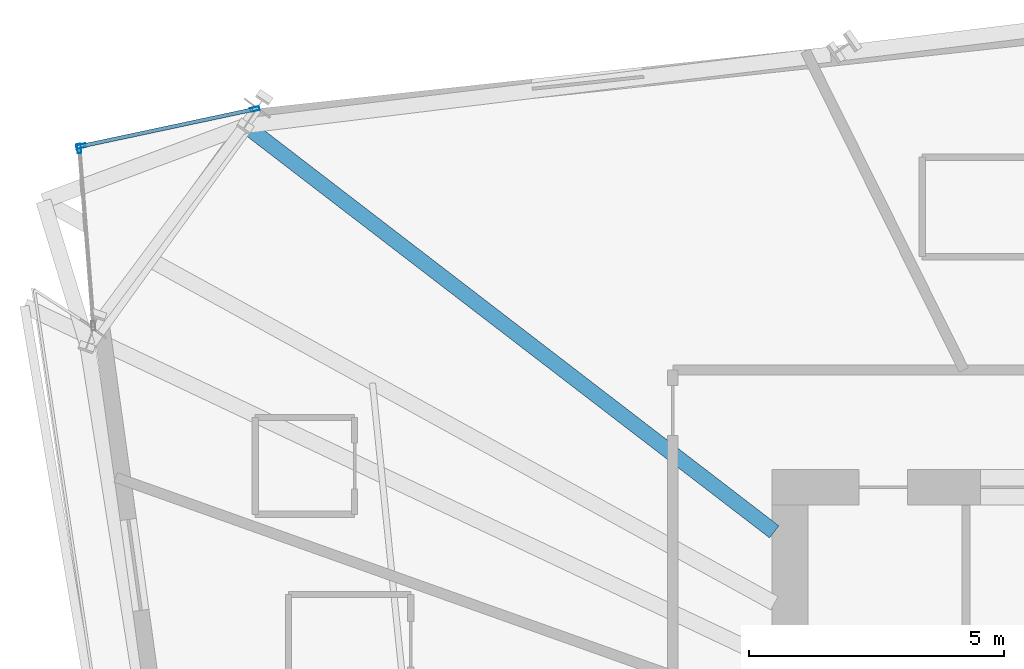
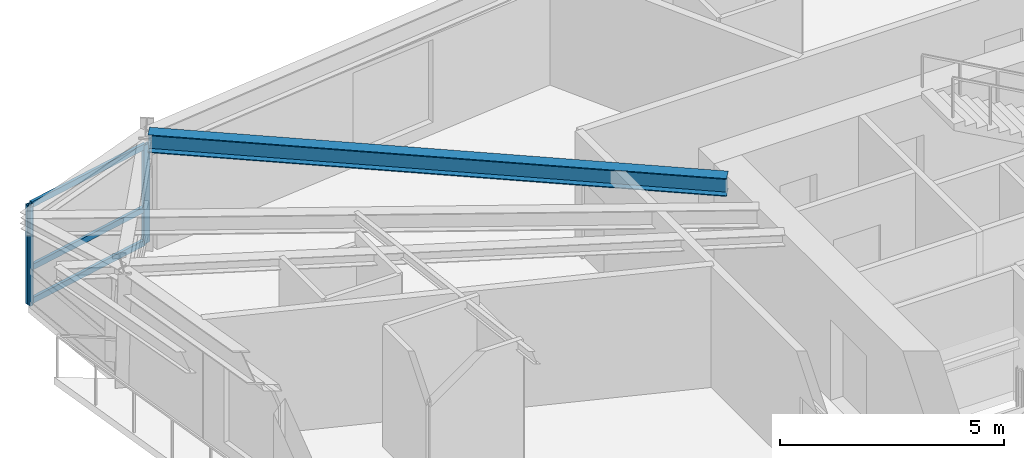
# One storey, part 8 of 18: 6 members, 1 beam, 2 elements without a shape of their own.
"""IFC4 building model written with IfcOpenShell, lengths in metres."""

from ifc_helpers import new_model, si_unit, direction, frame, origin, origin_2d, place, context, subcontext, project, spatial, hollow_rectangle, i_section, extrude, source, transform, mapped, material, material_profile, profile_set, type_object, element, aggregate, save


model = new_model("IFC4")

# Units and contexts
model_context = context("Model", 3, precision=1e-05, world=origin(), true_north=direction((0.0, 1.0)))
body_context = subcontext(model_context, "Body", "Model", "MODEL_VIEW")
ifc_project = project(units=[si_unit("LENGTHUNIT", "METRE"), si_unit("AREAUNIT", "SQUARE_METRE"), si_unit("VOLUMEUNIT", "CUBIC_METRE"), si_unit("PLANEANGLEUNIT", "RADIAN"), si_unit("MASSUNIT", "GRAM", prefix="KILO")], contexts=[model_context])

# Site, building, storey
site_placement = place(None, origin())
site = spatial("IfcSite", under=ifc_project, at=site_placement, CompositionType="ELEMENT")
building_placement = place(site_placement, origin())
building = spatial("IfcBuilding", under=site, at=building_placement, Name="Olszyna Solenne Hotel", CompositionType="ELEMENT")
storey_placement = place(building_placement, frame((0.0, 0.0, 119.89990234375)))
storey = spatial("IfcBuildingStorey", under=building, at=storey_placement, Name="L31", CompositionType="ELEMENT", Elevation=119.89990234375)

# Beam
ifc_material_1 = material(Name="Steel S355J2", Category="steel")
ifc_material_profile_1 = material_profile(ifc_material_1, i_section(OverallWidth=0.300048828125, OverallDepth=0.489990234375, WebThickness=0.011962890625, FlangeThickness=0.02294921875, at=origin_2d()), Name="HEA 500", Category="load-bearing")
ifc_profile_set_1 = profile_set([ifc_material_profile_1], Name="Steel S355J2")
beam_type = type_object("IfcBeamType", Name="BM-G1", PredefinedType="BEAM", material=ifc_profile_set_1)
shared_shape_1 = source(origin(), body_context, "Body", "SweptSolid", [
    extrude(i_section(OverallWidth=0.300048828125, OverallDepth=0.489990234375, WebThickness=0.011962890625, FlangeThickness=0.02294921875, at=origin_2d()), origin(), (0.0, 0.0, 1.0), 13.013427734375),
])
beam_placement = place(storey_placement, frame((19.120849609375, 41.107177734375, 3.05517578125), z_axis=(0.792934935084, -0.609306317646, 0.0), x_axis=(0.609306317646, 0.792934935084, 0.0)))
element("IfcBeam", 1, at=beam_placement, inside=storey, type_object=beam_type, Name="Radial floor girder BM-G1 B-L31-0942", PredefinedType="BEAM", context=body_context, shape_type="MappedRepresentation", body=[
    mapped(shared_shape_1, transform((0.0, 0.0, 0.0), x_axis=(1.0, 0.0, 0.0), y_axis=(0.0, 1.0, 0.0), z_axis=(0.0, 0.0, 1.0), scale=1.0)),
])

# Curtain wall, member
ifc_material_2 = material(Name="Anodised bronze aluminium", Category="aluminium")
curtain_wall_type = type_object("IfcCurtainWallType", Name="CW-SYS-5", PredefinedType="NOTDEFINED", material=ifc_material_2)
curtain_wall_1_placement = place(storey_placement, origin())
curtain_wall_1 = element("IfcCurtainWall", 2, at=curtain_wall_1_placement, inside=storey, type_object=curtain_wall_type, Name="Unitised curtain wall CW-SYS-5 CW-L31-02", PredefinedType="NOTDEFINED")
ifc_material_profile_2 = material_profile(ifc_material_2, hollow_rectangle(XDim=0.074951171875, YDim=0.179931640625, WallThickness=0.00439453125, at=origin_2d()), Name="MULL 180x75x4.5", Category="load-bearing")
ifc_profile_set_2 = profile_set([ifc_material_profile_2], Name="Anodised bronze aluminium")
member_type_1 = type_object("IfcMemberType", Name="CW-M2", PredefinedType="MULLION", material=ifc_profile_set_2)
shared_shape_2 = source(origin(), body_context, "Body", "SweptSolid", [
    extrude(hollow_rectangle(XDim=0.074951171875, YDim=0.179931640625, WallThickness=0.00439453125, at=origin_2d()), origin(), (0.0, 0.0, 1.0), 2.692138671875),
])
member_1_placement = place(storey_placement, frame((15.8095703125, 40.69482421875, 0.0), z_axis=(0.0, 0.0, 1.0), x_axis=(0.996830162696, 0.079558951352, 0.0)))
member_1 = element("IfcMember", 3, at=member_1_placement, type_object=member_type_1, Name="Curtain-wall mullion CW-M2 CM-L31-02-01", PredefinedType="MULLION", context=body_context, shape_type="MappedRepresentation", body=[
    mapped(shared_shape_2, transform((0.0, 0.0, 0.0), x_axis=(1.0, 0.0, 0.0), y_axis=(0.0, 1.0, 0.0), z_axis=(0.0, 0.0, 1.0), scale=1.0)),
])
aggregate(curtain_wall_1, [member_1])

# Curtain wall, members
curtain_wall_2_placement = place(storey_placement, origin())
curtain_wall_2 = element("IfcCurtainWall", 4, at=curtain_wall_2_placement, inside=storey, type_object=curtain_wall_type, Name="Unitised curtain wall CW-SYS-5 CW-L31-03", PredefinedType="NOTDEFINED")
member_2_placement = place(storey_placement, frame((15.84326171875, 40.739990234375, 0.0), z_axis=(0.0, 0.0, 1.0), x_axis=(-0.208626303298, 0.977995432286, 0.0)))
member_2 = element("IfcMember", 5, at=member_2_placement, type_object=member_type_1, Name="Curtain-wall mullion CW-M2 CM-L31-03-01", PredefinedType="MULLION", context=body_context, shape_type="MappedRepresentation", body=[
    mapped(shared_shape_2, transform((0.0, 0.0, 0.0), x_axis=(1.0, 0.0, 0.0), y_axis=(0.0, 1.0, 0.0), z_axis=(0.0, 0.0, 1.0), scale=1.0)),
])
member_3_placement = place(storey_placement, frame((19.254638671875, 41.4677734375, 0.0), z_axis=(0.0, 0.0, 1.0), x_axis=(-0.208626303298, 0.977995432286, 0.0)))
member_3 = element("IfcMember", 6, at=member_3_placement, type_object=member_type_1, Name="Curtain-wall mullion CW-M2 CM-L31-03-02", PredefinedType="MULLION", context=body_context, shape_type="MappedRepresentation", body=[
    mapped(shared_shape_2, transform((0.0, 0.0, 0.0), x_axis=(1.0, 0.0, 0.0), y_axis=(0.0, 1.0, 0.0), z_axis=(0.0, 0.0, 1.0), scale=1.0)),
])
ifc_material_profile_3 = material_profile(ifc_material_2, hollow_rectangle(XDim=0.074951171875, YDim=0.159912109375, WallThickness=0.00390625, at=origin_2d()), Name="TRAN 160x75x4", Category="load-bearing")
ifc_profile_set_3 = profile_set([ifc_material_profile_3], Name="Anodised bronze aluminium")
member_type_2 = type_object("IfcMemberType", Name="CW-T1", PredefinedType="USERDEFINED", material=ifc_profile_set_3)
shared_shape_3 = source(origin(), body_context, "Body", "SweptSolid", [
    extrude(hollow_rectangle(XDim=0.074951171875, YDim=0.159912109375, WallThickness=0.00390625, at=origin_2d()), origin(), (0.0, 0.0, 1.0), 3.413330078125),
])
member_4_placement = place(storey_placement, frame((15.8798828125, 40.747802734375, 0.03759765625), z_axis=(0.977991474212, 0.208644857038, 0.0), x_axis=(-0.208644857038, 0.977991474212, 0.0)))
member_4 = element("IfcMember", 7, at=member_4_placement, type_object=member_type_2, Name="Curtain-wall transom CW-T1 CT-L31-03-01", ObjectType="TRANSOM", PredefinedType="USERDEFINED", context=body_context, shape_type="MappedRepresentation", body=[
    mapped(shared_shape_3, transform((0.0, 0.0, 0.0), x_axis=(1.0, 0.0, 0.0), y_axis=(0.0, 1.0, 0.0), z_axis=(0.0, 0.0, 1.0), scale=1.0)),
])
member_5_placement = place(storey_placement, frame((15.8798828125, 40.747802734375, 0.9501953125), z_axis=(0.977991474212, 0.208644857038, 0.0), x_axis=(-0.208644857038, 0.977991474212, 0.0)))
member_5 = element("IfcMember", 8, at=member_5_placement, type_object=member_type_2, Name="Curtain-wall transom CW-T1 CT-L31-03-02", ObjectType="TRANSOM", PredefinedType="USERDEFINED", context=body_context, shape_type="MappedRepresentation", body=[
    mapped(shared_shape_3, transform((0.0, 0.0, 0.0), x_axis=(1.0, 0.0, 0.0), y_axis=(0.0, 1.0, 0.0), z_axis=(0.0, 0.0, 1.0), scale=1.0)),
])
member_6_placement = place(storey_placement, frame((15.8798828125, 40.747802734375, 2.654541015625), z_axis=(0.977991474212, 0.208644857038, 0.0), x_axis=(-0.208644857038, 0.977991474212, 0.0)))
member_6 = element("IfcMember", 9, at=member_6_placement, type_object=member_type_2, Name="Curtain-wall transom CW-T1 CT-L31-03-03", ObjectType="TRANSOM", PredefinedType="USERDEFINED", context=body_context, shape_type="MappedRepresentation", body=[
    mapped(shared_shape_3, transform((0.0, 0.0, 0.0), x_axis=(1.0, 0.0, 0.0), y_axis=(0.0, 1.0, 0.0), z_axis=(0.0, 0.0, 1.0), scale=1.0)),
])
aggregate(curtain_wall_2, [member_2, member_3, member_4, member_5, member_6])

save(model, "model.ifc")
